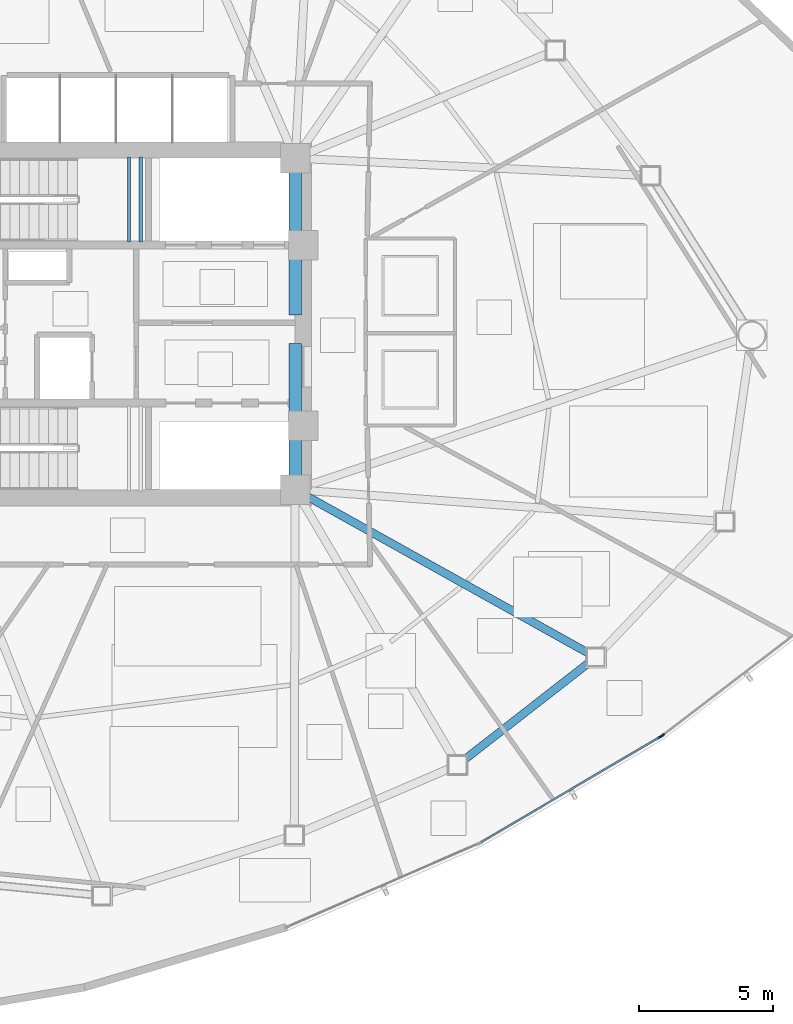
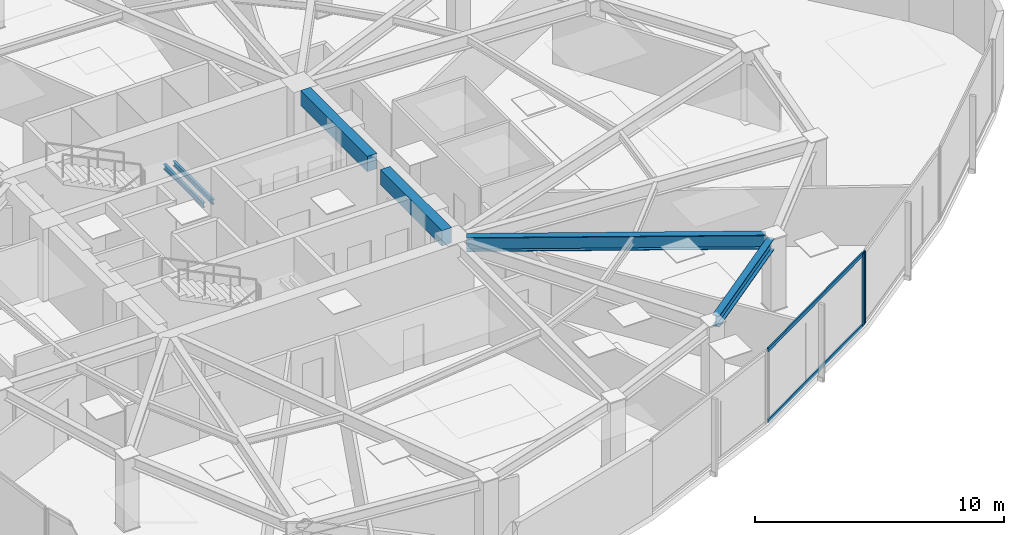
# One storey, part 5 of 18: 6 beams, 4 members, 2 elements without a shape of their own.
"""IFC4 building model written with IfcOpenShell, lengths in metres."""

from ifc_helpers import new_model, si_unit, direction, frame, origin, origin_2d, place, context, subcontext, project, spatial, rectangle, hollow_rectangle, i_section, extrude, source, transform, mapped, material, layer, layer_set, material_profile, profile_set, type_object, type_shapes, element, aggregate, save


model = new_model("IFC4")

# Units and contexts
model_context = context("Model", 3, precision=1e-05, world=origin(), true_north=direction((0.0, 1.0)))
body_context = subcontext(model_context, "Body", "Model", "MODEL_VIEW")
ifc_project = project(units=[si_unit("LENGTHUNIT", "METRE"), si_unit("AREAUNIT", "SQUARE_METRE"), si_unit("VOLUMEUNIT", "CUBIC_METRE"), si_unit("PLANEANGLEUNIT", "RADIAN"), si_unit("MASSUNIT", "GRAM", prefix="KILO")], contexts=[model_context])

# Site, building, storey
site_placement = place(None, origin())
site = spatial("IfcSite", under=ifc_project, at=site_placement, CompositionType="ELEMENT")
building_placement = place(site_placement, origin())
building = spatial("IfcBuilding", under=site, at=building_placement, Name="Tavelor Broadcast Tower", CompositionType="ELEMENT")
storey_placement = place(building_placement, frame((0.0, 0.0, 146.39990234375)))
storey = spatial("IfcBuildingStorey", under=building, at=storey_placement, Name="L34", CompositionType="ELEMENT", Elevation=146.39990234375)

# Beams
ifc_material_1 = material(Name="Concrete C40/50", Category="concrete")
ifc_material_profile_1 = material_profile(ifc_material_1, rectangle(XDim=0.449951171875, YDim=0.75, at=origin_2d()), Name="RC 450x750")
ifc_profile_set_1 = profile_set([ifc_material_profile_1], Name="Concrete C40/50")
beam_type_1 = type_object("IfcBeamType", Name="Basement Core Trim Beam 450x750", PredefinedType="BEAM", material=ifc_profile_set_1)
beam_1_placement = place(storey_placement, frame((56.60009765625, 45.327880859375, 3.175048828125), z_axis=(0.0, 1.0, 0.0), x_axis=(-1.0, 0.0, 0.0)))
element("IfcBeam", 1, at=beam_1_placement, inside=storey, type_object=beam_type_1, Name="L34 Core East-N Tie Girder", PredefinedType="BEAM", context=body_context, shape_type="SweptSolid", body=[
    extrude(rectangle(XDim=0.449951171875, YDim=0.75, at=origin_2d()), origin(), (0.0, 0.0, 1.0), 5.34423828125),
])
beam_2_placement = place(storey_placement, frame((56.60009765625, 39.327880859375, 3.175048828125), z_axis=(0.0, 1.0, 0.0), x_axis=(-1.0, 0.0, 0.0)))
element("IfcBeam", 2, at=beam_2_placement, inside=storey, type_object=beam_type_1, Name="L34 Core East-S Tie Girder", PredefinedType="BEAM", context=body_context, shape_type="SweptSolid", body=[
    extrude(rectangle(XDim=0.449951171875, YDim=0.75, at=origin_2d()), origin(), (0.0, 0.0, 1.0), 4.944091796875),
])
ifc_material_2 = material(Name="Steel S355", Category="steel")
ifc_material_profile_2 = material_profile(ifc_material_2, i_section(OverallWidth=0.300048828125, OverallDepth=0.550048828125, WebThickness=0.014892578125, FlangeThickness=0.029052734375, at=origin_2d()), Name="HEB 550")
ifc_profile_set_2 = profile_set([ifc_material_profile_2], Name="Steel S355")
beam_type_2 = type_object("IfcBeamType", Name="Perimeter Spandrel Beam T3 HEB 550", PredefinedType="SPANDREL", material=ifc_profile_set_2)
beam_3_placement = place(storey_placement, frame((62.934326171875, 28.709716796875, 3.275146484375), z_axis=(0.788970059341, 0.614431644257, 0.0), x_axis=(-0.614431644257, 0.788970059341, 0.0)))
element("IfcBeam", 3, at=beam_3_placement, inside=storey, type_object=beam_type_2, Name="L34 Framed-Tube Ring Spandrel 10", PredefinedType="SPANDREL", context=body_context, shape_type="SweptSolid", body=[
    extrude(i_section(OverallWidth=0.300048828125, OverallDepth=0.550048828125, WebThickness=0.014892578125, FlangeThickness=0.029052734375, at=origin_2d()), origin(), (0.0, 0.0, 1.0), 5.884765625),
])
ifc_material_profile_3 = material_profile(ifc_material_2, i_section(OverallWidth=0.300048828125, OverallDepth=0.68994140625, WebThickness=0.014404296875, FlangeThickness=0.027099609375, at=origin_2d()), Name="HEA 700")
ifc_profile_set_3 = profile_set([ifc_material_profile_3], Name="Steel S355")
beam_type_3 = type_object("IfcBeamType", Name="Radial Floor Girder T3 HEA 700", PredefinedType="BEAM", material=ifc_profile_set_3)
beam_4_placement = place(storey_placement, frame((57.061279296875, 38.54296875, 3.205078125), z_axis=(0.873405286678, -0.486994050481, 0.0), x_axis=(0.486994050481, 0.873405286678, 0.0)))
element("IfcBeam", 4, at=beam_4_placement, inside=storey, type_object=beam_type_3, Name="L34 Radial Primary Floor Girder 11", PredefinedType="BEAM", context=body_context, shape_type="SweptSolid", body=[
    extrude(i_section(OverallWidth=0.300048828125, OverallDepth=0.68994140625, WebThickness=0.014404296875, FlangeThickness=0.027099609375, at=origin_2d()), origin(), (0.0, 0.0, 1.0), 12.007568359375),
])
ifc_material_profile_4 = material_profile(ifc_material_2, i_section(OverallWidth=0.1201171875, OverallDepth=0.239990234375, WebThickness=0.006103515625, FlangeThickness=0.009765625, at=origin_2d()), Name="IPE 240")
ifc_profile_set_4 = profile_set([ifc_material_profile_4], Name="Steel S355")
beam_type_4 = type_object("IfcBeamType", Name="Stairwell Landing Support Trimmer Beam IPE240", PredefinedType="BEAM", material=ifc_profile_set_4)
for number, where, z_axis, x_axis, name in (
    (5, (50.385009765625, 48.06005859375, 1.610107421875), (0.0, 1.0, 0.0), (-1.0, 0.0, 0.0), "L34 Stair Landing Support Beam 101"),
    (6, (50.824951171875, 48.06005859375, 1.610107421875), (0.0, 1.0, 0.0), (-1.0, 0.0, 0.0), "L34 Stair Landing Support Beam 102"),
):
    element("IfcBeam", number, at=place(storey_placement, frame(where, z_axis=z_axis, x_axis=x_axis)), inside=storey, type_object=beam_type_4, Name=name, PredefinedType="BEAM", context=body_context, shape_type="SweptSolid", body=[
        extrude(i_section(OverallWidth=0.1201171875, OverallDepth=0.239990234375, WebThickness=0.006103515625, FlangeThickness=0.009765625, at=origin_2d()), origin(), (0.0, 0.0, 1.0), 3.179931640625),
    ])

# Curtain wall, member
ifc_material_3 = material(Name="Architectural Anodized Aluminium", Category="aluminium")
ifc_layer = layer(ifc_material_3, 0.18994140625)
ifc_layer_set = layer_set([ifc_layer], Name="Architectural Anodized Aluminium")
curtain_wall_type = type_object("IfcCurtainWallType", Name="Tower Mid-Zone Acoustic Curtain Wall CW03", PredefinedType="NOTDEFINED", material=ifc_layer_set)
curtain_wall_1_placement = place(storey_placement, origin())
curtain_wall_1 = element("IfcCurtainWall", 7, at=curtain_wall_1_placement, inside=storey, type_object=curtain_wall_type, Name="L34 Curtain Wall CW03 Run 354", PredefinedType="NOTDEFINED")
ifc_material_profile_5 = material_profile(ifc_material_3, hollow_rectangle(XDim=0.068115234375, YDim=0.18994140625, WallThickness=0.02197265625, at=origin_2d()), Name="RHS 68x190x22")
ifc_profile_set_5 = profile_set([ifc_material_profile_5], Name="Architectural Anodized Aluminium")
member_type_1 = type_object("IfcMemberType", Name="CW03 Extruded Aluminium Mullion 68x190", PredefinedType="MULLION", material=ifc_profile_set_5)
shared_shape_1 = source(origin(), body_context, "Body", "SweptSolid", [
    extrude(hollow_rectangle(XDim=0.068115234375, YDim=0.18994140625, WallThickness=0.02197265625, at=origin_2d()), origin(), (0.0, 0.0, 1.0), 3.550048828125),
])
type_shapes(member_type_1, [shared_shape_1])
member_1_placement = place(storey_placement, frame((70.248779296875, 29.553955078125, 0.0), z_axis=(0.0, 0.0, 1.0), x_axis=(-0.507166437058, 0.861848133445, 0.0)))
member_1 = element("IfcMember", 8, at=member_1_placement, type_object=member_type_1, Name="CW03 mullion 2", PredefinedType="MULLION", context=body_context, shape_type="MappedRepresentation", body=[
    mapped(shared_shape_1, transform((0.0, 0.0, 0.0), scale=1.0)),
])

curtain_wall_2_placement = place(storey_placement, origin())
curtain_wall_2 = element("IfcCurtainWall", 9, at=curtain_wall_2_placement, inside=storey, type_object=curtain_wall_type, Name="L34 Curtain Wall CW03 Run 355", PredefinedType="NOTDEFINED")
member_2_placement = place(storey_placement, frame((70.330078125, 29.608642578125, 0.0), z_axis=(0.0, 0.0, 1.0), x_axis=(-0.607726021171, 0.794146764264, 0.0)))
member_2 = element("IfcMember", 10, at=member_2_placement, type_object=member_type_1, Name="CW03 mullion 1", PredefinedType="MULLION", context=body_context, shape_type="MappedRepresentation", body=[
    mapped(shared_shape_1, transform((0.0, 0.0, 0.0), scale=1.0)),
])
aggregate(curtain_wall_2, [member_2])

# Member
ifc_material_profile_6 = material_profile(ifc_material_3, hollow_rectangle(XDim=0.068115234375, YDim=0.18994140625, WallThickness=0.02197265625, at=origin_2d()), Name="RHS 68x190x22")
ifc_profile_set_6 = profile_set([ifc_material_profile_6], Name="Architectural Anodized Aluminium")
member_type_2 = type_object("IfcMemberType", Name="CW03 Extruded Aluminium Transom 68x190", PredefinedType="USERDEFINED", material=ifc_profile_set_6)
shared_shape_2 = source(origin(), body_context, "Body", "SweptSolid", [
    extrude(hollow_rectangle(XDim=0.068115234375, YDim=0.18994140625, WallThickness=0.02197265625, at=origin_2d()), origin(), (0.0, 0.0, 1.0), 7.718994140625),
])
type_shapes(member_type_2, [shared_shape_2])
member_3_placement = place(storey_placement, frame((63.56689453125, 25.62158203125, 0.0341796875), z_axis=(0.861835005031, 0.507188746034, 0.0), x_axis=(-0.507188746034, 0.861835005031, 0.0)))
member_3 = element("IfcMember", 11, at=member_3_placement, type_object=member_type_2, Name="CW03 transom 1.1", ObjectType="TRANSOM", PredefinedType="USERDEFINED", context=body_context, shape_type="MappedRepresentation", body=[
    mapped(shared_shape_2, transform((0.0, 0.0, 0.0), scale=1.0)),
])

member_4_placement = place(storey_placement, frame((63.56689453125, 25.62158203125, 3.51611328125), z_axis=(0.861835005031, 0.507188746034, 0.0), x_axis=(-0.507188746034, 0.861835005031, 0.0)))
member_4 = element("IfcMember", 12, at=member_4_placement, type_object=member_type_2, Name="CW03 transom 1.2", ObjectType="TRANSOM", PredefinedType="USERDEFINED", context=body_context, shape_type="MappedRepresentation", body=[
    mapped(shared_shape_2, transform((0.0, 0.0, 0.0), scale=1.0)),
])

aggregate(curtain_wall_1, [member_1, member_3, member_4])

save(model, "model.ifc")
